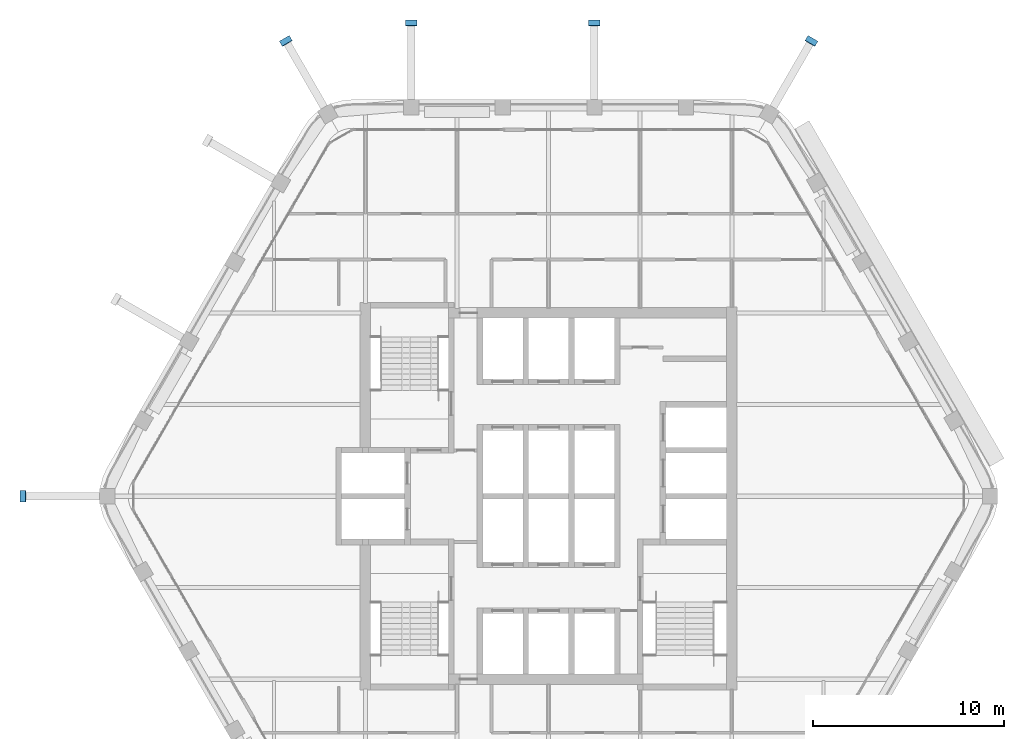
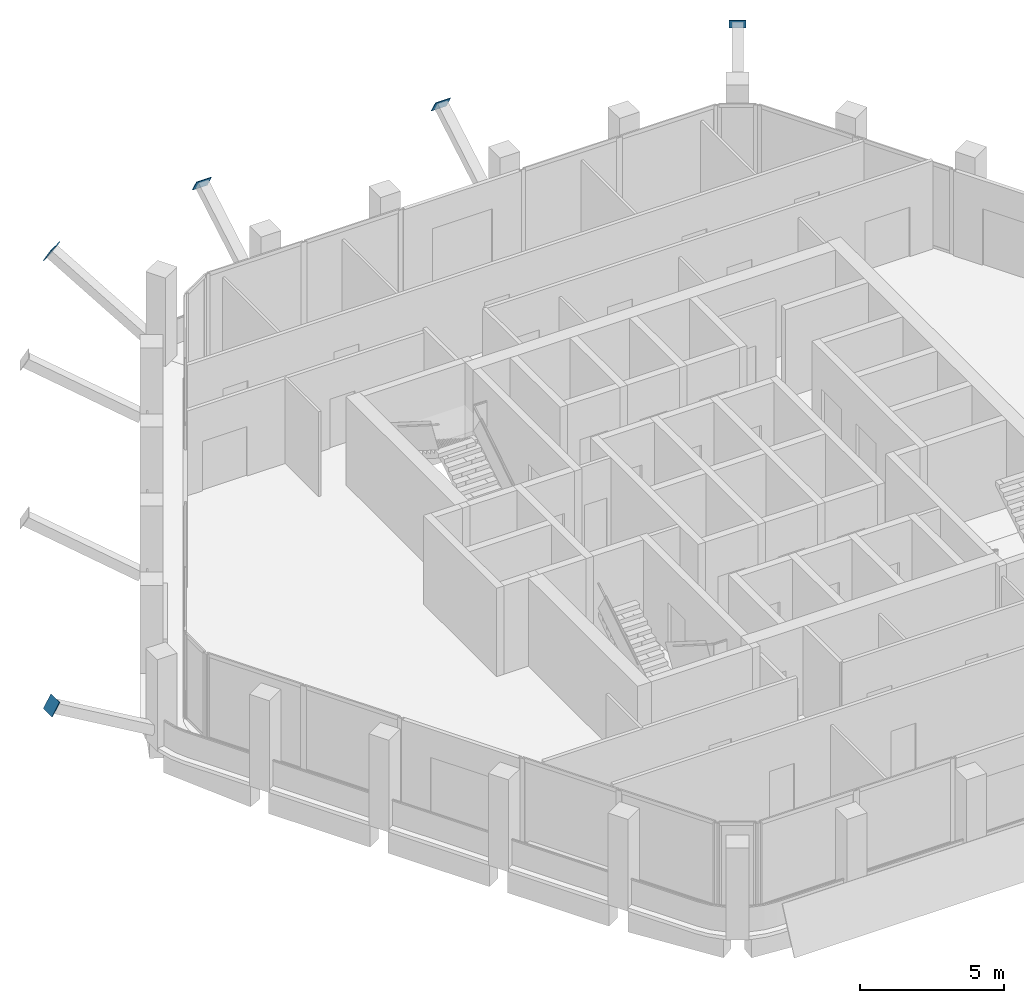
# One storey, part 12 of 14: 5 discrete accessories.
"""IFC4 building model written with IfcOpenShell, lengths in metres."""

from ifc_helpers import new_model, si_unit, direction, frame, origin, origin_2d, place, context, subcontext, project, spatial, rectangle, extrude, element, save


model = new_model("IFC4")

# Units and contexts
model_context = context("Model", 3, precision=1e-05, world=origin(), true_north=direction((0.0, 1.0)))
body_context = subcontext(model_context, "Body", "Model", "MODEL_VIEW")
ifc_project = project(units=[si_unit("LENGTHUNIT", "METRE"), si_unit("AREAUNIT", "SQUARE_METRE"), si_unit("VOLUMEUNIT", "CUBIC_METRE"), si_unit("PLANEANGLEUNIT", "RADIAN"), si_unit("MASSUNIT", "GRAM", prefix="KILO")], contexts=[model_context])

# Site, building, storey
site_placement = place(None, origin())
site = spatial("IfcSite", under=ifc_project, at=site_placement, CompositionType="ELEMENT")
building_placement = place(site_placement, origin())
building = spatial("IfcBuilding", under=site, at=building_placement, Name="Kolab Exchange Tower", CompositionType="ELEMENT")
storey_placement = place(building_placement, frame((0.0, 0.0, 250.10009765625)))
storey = spatial("IfcBuildingStorey", under=building, at=storey_placement, Name="L55", CompositionType="ELEMENT", Elevation=250.10009765625)

# Discrete accessories
for number, where, z_axis, x_axis, name in (
    (1, (-27.535888671875, 0.0, 2.968017578125), (-0.867642581652, 0.0, 0.497188445666), (0.0, -1.0, 0.0), "Gusset plate"),
    (2, (-13.767822265625, 23.8466796875, 2.968017578125), (-0.438009363767, 0.749482689112, 0.496410612269), (-0.863371944127, -0.504568019295, 0.0), "Gusset plate"),
):
    element("IfcDiscreteAccessory", number, at=place(storey_placement, frame(where, z_axis=z_axis, x_axis=x_axis)), inside=storey, Name=name, ObjectType="GUSSET PLATE", PredefinedType="USERDEFINED", context=body_context, shape_type="SweptSolid", body=[
        extrude(rectangle(XDim=0.60009765625, YDim=0.60009765625, at=origin_2d()), origin(), (0.0, 0.0, 1.0), 0.025146484375),
    ])
for number, where, z_axis, x_axis, name in (
    (3, (-7.199951171875, 24.78466796875, 2.968017578125), (0.0, 0.865201820635, 0.501423782413), (-1.0, 0.0, 0.0), "Gusset plate"),
    (4, (2.39990234375, 24.78466796875, 2.968017578125), (0.0, 0.865201820635, 0.501423782413), (-1.0, 0.0, 0.0), "Gusset plate"),
):
    element("IfcDiscreteAccessory", number, at=place(storey_placement, frame(where, z_axis=z_axis, x_axis=x_axis)), inside=storey, Name=name, ObjectType="GUSSET PLATE", PredefinedType="USERDEFINED", context=body_context, shape_type="SweptSolid", body=[
        extrude(rectangle(XDim=0.60009765625, YDim=0.60009765625, at=origin_2d()), origin(), (0.0, 0.0, 1.0), 0.02490234375),
    ])
discrete_accessory_placement = place(storey_placement, frame((13.767822265625, 23.8466796875, 2.968017578125), z_axis=(0.438009363767, 0.749482689112, 0.496410612269), x_axis=(-0.863371944127, 0.504568019295, 0.0)))
element("IfcDiscreteAccessory", 5, at=discrete_accessory_placement, inside=storey, Name="Gusset plate", ObjectType="GUSSET PLATE", PredefinedType="USERDEFINED", context=body_context, shape_type="SweptSolid", body=[
    extrude(rectangle(XDim=0.60009765625, YDim=0.60009765625, at=origin_2d()), origin(), (0.0, 0.0, 1.0), 0.025146484375),
])

save(model, "model.ifc")
